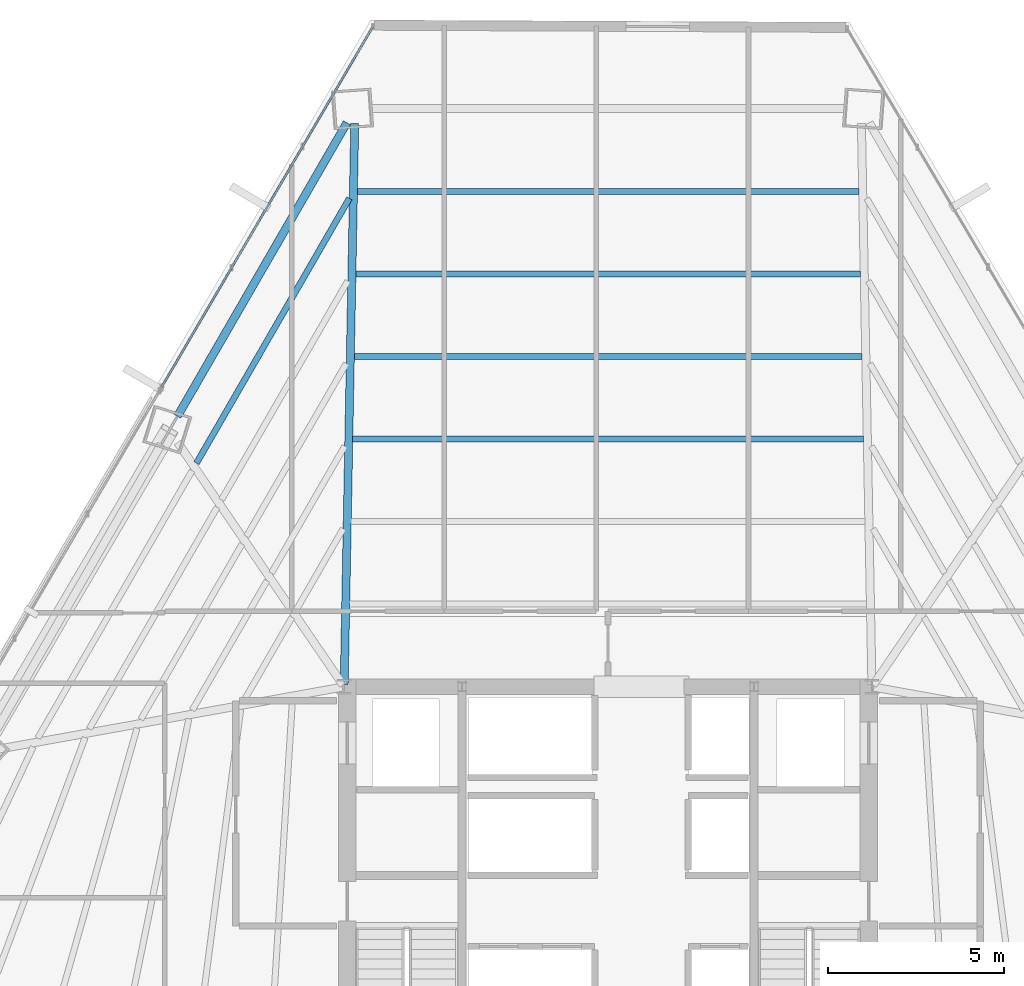
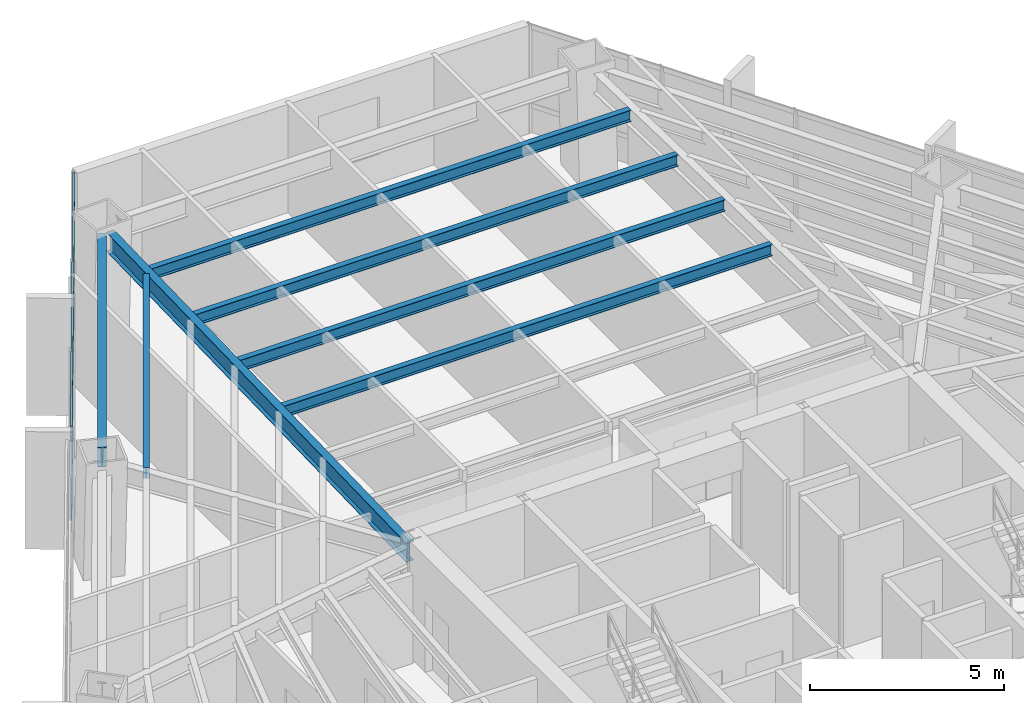
# One storey, part 25 of 36: 7 beams, 2 members, 1 element without a shape of its own.
"""IFC4 building model written with IfcOpenShell, lengths in metres."""

from ifc_helpers import new_model, si_unit, direction, frame, origin, origin_2d, place, context, subcontext, project, spatial, hollow_rectangle, i_section, extrude, source, transform, mapped, material, material_profile, profile_set, type_object, type_shapes, element, aggregate, save


model = new_model("IFC4")

# Units and contexts
model_context = context("Model", 3, precision=1e-05, world=origin(), true_north=direction((0.0, 1.0)))
body_context = subcontext(model_context, "Body", "Model", "MODEL_VIEW")
ifc_project = project(units=[si_unit("LENGTHUNIT", "METRE"), si_unit("AREAUNIT", "SQUARE_METRE"), si_unit("VOLUMEUNIT", "CUBIC_METRE"), si_unit("PLANEANGLEUNIT", "RADIAN"), si_unit("MASSUNIT", "GRAM", prefix="KILO")], contexts=[model_context])

# Site, building, storey
site_placement = place(None, origin())
site = spatial("IfcSite", under=ifc_project, at=site_placement, CompositionType="ELEMENT")
building_placement = place(site_placement, origin())
building = spatial("IfcBuilding", under=site, at=building_placement, Name="Caelisora Broadcast Tower", CompositionType="ELEMENT")
storey_placement = place(building_placement, frame((0.0, 0.0, 112.699951171875)))
storey = spatial("IfcBuildingStorey", under=building, at=storey_placement, Name="L29", CompositionType="ELEMENT", Elevation=112.699951171875)

# Beams
ifc_material_1 = material(Name="Steel Grade 350 (AS/NZS 3679.1)", Category="steel")
ifc_material_profile_1 = material_profile(ifc_material_1, i_section(OverallWidth=0.22900390625, OverallDepth=0.611572265625, WebThickness=0.011962890625, FlangeThickness=0.01953125, at=origin_2d()), Name="Steel Grade 350 (AS/NZS 3679.1)")
ifc_profile_set_1 = profile_set([ifc_material_profile_1], Name="Steel Grade 350 (AS/NZS 3679.1)")
beam_type_1 = type_object("IfcBeamType", Name="PG03", PredefinedType="BEAM", material=ifc_profile_set_1)
shared_shape_1 = source(origin(), body_context, "Body", "SweptSolid", [
    extrude(i_section(OverallWidth=0.22900390625, OverallDepth=0.611572265625, WebThickness=0.011962890625, FlangeThickness=0.01953125, at=origin_2d()), origin(), (0.0, 0.0, 1.0), 9.6318359375),
])
type_shapes(beam_type_1, [shared_shape_1])
beam_1_placement = place(storey_placement, frame((30.57861328125, 46.02978515625, 3.09423828125), z_axis=(-0.50000476601, -0.86602265211, 0.0), x_axis=(0.86602265211, -0.50000476601, 0.0)))
element("IfcBeam", 1, at=beam_1_placement, inside=storey, type_object=beam_type_1, Name="L29 beam PG03", PredefinedType="BEAM", context=body_context, shape_type="MappedRepresentation", body=[
    mapped(shared_shape_1, transform((0.0, 0.0, 0.0), scale=1.0)),
])
ifc_material_profile_2 = material_profile(ifc_material_1, i_section(OverallWidth=0.22802734375, OverallDepth=0.602294921875, WebThickness=0.010498046875, FlangeThickness=0.014892578125, at=origin_2d()), Name="Steel Grade 350 (AS/NZS 3679.1)")
ifc_profile_set_2 = profile_set([ifc_material_profile_2], Name="Steel Grade 350 (AS/NZS 3679.1)")
beam_type_2 = type_object("IfcBeamType", Name="PG04", PredefinedType="BEAM", material=ifc_profile_set_2)
shared_shape_2 = source(origin(), body_context, "Body", "SweptSolid", [
    extrude(i_section(OverallWidth=0.22802734375, OverallDepth=0.602294921875, WebThickness=0.010498046875, FlangeThickness=0.014892578125, at=origin_2d()), origin(), (0.0, 0.0, 1.0), 15.951171875),
])
type_shapes(beam_type_2, [shared_shape_2])
beam_2_placement = place(storey_placement, frame((30.501220703125, 30.06005859375, 3.098876953125), z_axis=(0.018764682743, 0.99982392784, 0.0), x_axis=(-0.99982392784, 0.018764682743, 0.0)))
element("IfcBeam", 2, at=beam_2_placement, inside=storey, type_object=beam_type_2, Name="L29 beam PG04", PredefinedType="BEAM", context=body_context, shape_type="MappedRepresentation", body=[
    mapped(shared_shape_2, transform((0.0, 0.0, 0.0), scale=1.0)),
])
ifc_material_profile_3 = material_profile(ifc_material_1, i_section(OverallWidth=0.172119140625, OverallDepth=0.358642578125, WebThickness=0.008056640625, FlangeThickness=0.012939453125, at=origin_2d()), Name="Steel Grade 350 (AS/NZS 3679.1)")
ifc_profile_set_3 = profile_set([ifc_material_profile_3], Name="Steel Grade 350 (AS/NZS 3679.1)")
beam_type_3 = type_object("IfcBeamType", Name="SB02", PredefinedType="JOIST", material=ifc_profile_set_3)
shared_shape_3 = source(origin(), body_context, "Body", "SweptSolid", [
    extrude(i_section(OverallWidth=0.172119140625, OverallDepth=0.358642578125, WebThickness=0.008056640625, FlangeThickness=0.012939453125, at=origin_2d()), origin(), (0.0, 0.0, 1.0), 14.513671875),
])
beam_3_placement = place(storey_placement, frame((45.2568359375, 37.040771484375, 3.220703125), z_axis=(-1.0, 0.0, 0.0), x_axis=(0.0, -1.0, 0.0)))
element("IfcBeam", 3, at=beam_3_placement, inside=storey, type_object=beam_type_3, Name="L29 beam SB02", PredefinedType="JOIST", context=body_context, shape_type="MappedRepresentation", body=[
    mapped(shared_shape_3, transform((0.0, 0.0, 0.0), scale=1.0)),
])
shared_shape_4 = source(origin(), body_context, "Body", "SweptSolid", [
    extrude(i_section(OverallWidth=0.172119140625, OverallDepth=0.358642578125, WebThickness=0.008056640625, FlangeThickness=0.012939453125, at=origin_2d()), origin(), (0.0, 0.0, 1.0), 14.42529296875),
])
beam_4_placement = place(storey_placement, frame((45.212646484375, 39.387451171875, 3.220703125), z_axis=(-1.0, 0.0, 0.0), x_axis=(0.0, -1.0, 0.0)))
element("IfcBeam", 4, at=beam_4_placement, inside=storey, type_object=beam_type_3, Name="L29 beam SB02", PredefinedType="JOIST", context=body_context, shape_type="MappedRepresentation", body=[
    mapped(shared_shape_4, transform((0.0, 0.0, 0.0), scale=1.0)),
])
shared_shape_5 = source(origin(), body_context, "Body", "SweptSolid", [
    extrude(i_section(OverallWidth=0.172119140625, OverallDepth=0.358642578125, WebThickness=0.008056640625, FlangeThickness=0.012939453125, at=origin_2d()), origin(), (0.0, 0.0, 1.0), 14.33740234375),
])
beam_5_placement = place(storey_placement, frame((45.168701171875, 41.734375, 3.220703125), z_axis=(-1.0, 0.0, 0.0), x_axis=(0.0, -1.0, 0.0)))
element("IfcBeam", 5, at=beam_5_placement, inside=storey, type_object=beam_type_3, Name="L29 beam SB02", PredefinedType="JOIST", context=body_context, shape_type="MappedRepresentation", body=[
    mapped(shared_shape_5, transform((0.0, 0.0, 0.0), scale=1.0)),
])
shared_shape_6 = source(origin(), body_context, "Body", "SweptSolid", [
    extrude(i_section(OverallWidth=0.172119140625, OverallDepth=0.358642578125, WebThickness=0.008056640625, FlangeThickness=0.012939453125, at=origin_2d()), origin(), (0.0, 0.0, 1.0), 14.2490234375),
])
beam_6_placement = place(storey_placement, frame((45.12451171875, 44.081298828125, 3.220703125), z_axis=(-1.0, 0.0, 0.0), x_axis=(0.0, -1.0, 0.0)))
element("IfcBeam", 6, at=beam_6_placement, inside=storey, type_object=beam_type_3, Name="L29 beam SB02", PredefinedType="JOIST", context=body_context, shape_type="MappedRepresentation", body=[
    mapped(shared_shape_6, transform((0.0, 0.0, 0.0), scale=1.0)),
])
shared_shape_7 = source(origin(), body_context, "Body", "SweptSolid", [
    extrude(i_section(OverallWidth=0.172119140625, OverallDepth=0.358642578125, WebThickness=0.008056640625, FlangeThickness=0.012939453125, at=origin_2d()), origin(), (0.0, 0.0, 1.0), 8.688232421875),
])
type_shapes(beam_type_3, [shared_shape_3, shared_shape_4, shared_shape_5, shared_shape_6, shared_shape_7])
beam_7_placement = place(storey_placement, frame((30.648193359375, 43.8798828125, 3.220703125), z_axis=(-0.500013531281, -0.866017591355, 0.0), x_axis=(0.866017591355, -0.500013531281, 0.0)))
element("IfcBeam", 7, at=beam_7_placement, inside=storey, type_object=beam_type_3, Name="L29 beam SB02", PredefinedType="JOIST", context=body_context, shape_type="MappedRepresentation", body=[
    mapped(shared_shape_7, transform((0.0, 0.0, 0.0), scale=1.0)),
])

# Curtain wall, members
ifc_material_2 = material(Name="Unitised Aluminium and Low-E Glass Curtain Wall", Category="glass")
curtain_wall_type = type_object("IfcCurtainWallType", Name="CW-Z2", PredefinedType="NOTDEFINED", material=ifc_material_2)
curtain_wall_placement = place(storey_placement, origin())
curtain_wall = element("IfcCurtainWall", 8, at=curtain_wall_placement, inside=storey, type_object=curtain_wall_type, Name="L29 curtain wall CW-Z2", PredefinedType="NOTDEFINED")
ifc_material_3 = material(Name="Aluminium 6063-T6 Anodised Terracotta Bronze", Category="aluminium")
ifc_material_profile_4 = material_profile(ifc_material_3, hollow_rectangle(XDim=0.06005859375, YDim=0.14990234375, WallThickness=0.00341796875, at=origin_2d()), Name="Aluminium 6063-T6 Anodised Terracotta Bronze")
ifc_profile_set_4 = profile_set([ifc_material_profile_4], Name="Aluminium 6063-T6 Anodised Terracotta Bronze")
member_type = type_object("IfcMemberType", Name="CWT-02", PredefinedType="USERDEFINED", material=ifc_profile_set_4)
shared_shape_8 = source(origin(), body_context, "Body", "SweptSolid", [
    extrude(hollow_rectangle(XDim=0.06005859375, YDim=0.14990234375, WallThickness=0.00341796875, at=origin_2d()), origin(), (0.0, 0.0, 1.0), 11.87646484375),
])
type_shapes(member_type, [shared_shape_8])
member_1_placement = place(storey_placement, frame((25.30859375, 38.5087890625, 0.85009765625), z_axis=(0.505546978393, 0.862799080109, 0.0), x_axis=(-0.862799080109, 0.505546978393, 0.0)))
member_1 = element("IfcMember", 9, at=member_1_placement, type_object=member_type, Name="L29-CW-B11 transom #1", ObjectType="TRANSOM", PredefinedType="USERDEFINED", context=body_context, shape_type="MappedRepresentation", body=[
    mapped(shared_shape_8, transform((0.0, 0.0, 0.0), scale=1.0)),
])
member_2_placement = place(storey_placement, frame((25.30859375, 38.5087890625, 3.320068359375), z_axis=(0.505546978393, 0.862799080109, 0.0), x_axis=(-0.862799080109, 0.505546978393, 0.0)))
member_2 = element("IfcMember", 10, at=member_2_placement, type_object=member_type, Name="L29-CW-B11 transom #2", ObjectType="TRANSOM", PredefinedType="USERDEFINED", context=body_context, shape_type="MappedRepresentation", body=[
    mapped(shared_shape_8, transform((0.0, 0.0, 0.0), scale=1.0)),
])
aggregate(curtain_wall, [member_1, member_2])

save(model, "model.ifc")
